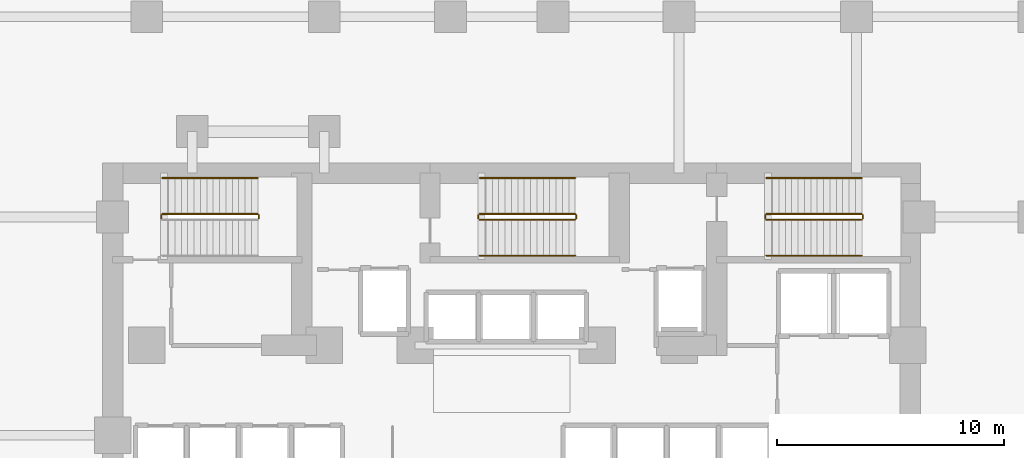
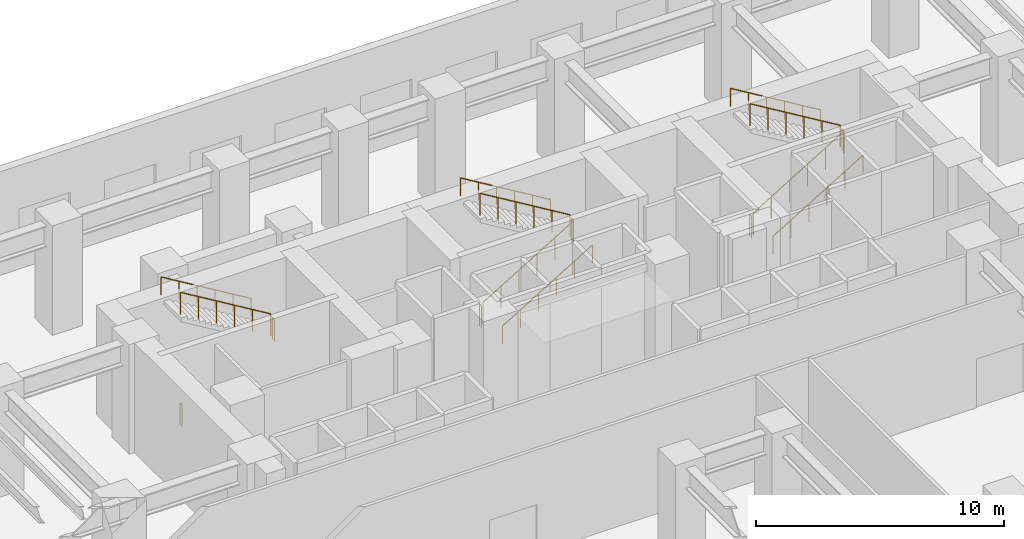
# One storey, part 20 of 21: 16 railings.
"""IFC4 building model written with IfcOpenShell, lengths in metres."""

from ifc_helpers import new_model, si_unit, direction, frame, origin, origin_2d, place, context, subcontext, project, spatial, circle, extrude, material, type_object, element, save


model = new_model("IFC4")

# Units and contexts
model_context = context("Model", 3, precision=1e-05, world=origin(), true_north=direction((0.0, 1.0)))
body_context = subcontext(model_context, "Body", "Model", "MODEL_VIEW")
ifc_project = project(units=[si_unit("LENGTHUNIT", "METRE"), si_unit("AREAUNIT", "SQUARE_METRE"), si_unit("VOLUMEUNIT", "CUBIC_METRE"), si_unit("PLANEANGLEUNIT", "RADIAN"), si_unit("MASSUNIT", "GRAM", prefix="KILO")], contexts=[model_context])

# Site, building, storey
site_placement = place(None, origin())
site = spatial("IfcSite", under=ifc_project, at=site_placement, CompositionType="ELEMENT")
building_placement = place(site_placement, origin())
building = spatial("IfcBuilding", under=site, at=building_placement, Name="Kestravale Grand Hotel", CompositionType="ELEMENT")
storey_placement = place(building_placement, frame((0.0, 0.0, 10.39990234375)))
storey = spatial("IfcBuildingStorey", under=building, at=storey_placement, Name="L02", CompositionType="ELEMENT", Elevation=10.39990234375)

# Railings
ifc_material_1 = material(Name="Painted tubular steel stair well guard", Category="steel")
railing_type_1 = type_object("IfcRailingType", Name="RL-ST-GRD1100", PredefinedType="GUARDRAIL", material=ifc_material_1)
railing_1_placement = place(storey_placement, frame((28.330078125, 38.330078125, 2.7001953125)))
element("IfcRailing", 1, at=railing_1_placement, inside=storey, type_object=railing_type_1, Name="L02 ST-1 stair guard 2", PredefinedType="GUARDRAIL", context=body_context, shape_type="SweptSolid", body=[
    extrude(circle(Radius=0.02392578125, at=origin_2d()), frame((0.0, 0.0, 1.076171875), z_axis=(0.0, 1.0, 0.0), x_axis=(-1.0, 0.0, 0.0)), (0.0, 0.0, 1.0), 0.14990234375),
    extrude(circle(Radius=0.02099609375, at=origin_2d()), origin(), (0.0, 0.0, 1.0), 1.052001953125),
    extrude(circle(Radius=0.02099609375, at=origin_2d()), frame((0.0, 0.14990234375, 0.0)), (0.0, 0.0, 1.0), 1.052001953125),
])
railing_2_placement = place(storey_placement, frame((28.280029296875, 38.530029296875, 2.868896484375)))
element("IfcRailing", 2, at=railing_2_placement, inside=storey, type_object=railing_type_1, Name="L02 ST-1 stair guard 3", PredefinedType="GUARDRAIL", context=body_context, shape_type="SweptSolid", body=[
    extrude(circle(Radius=0.02392578125, at=origin_2d()), frame((0.0, 0.0, 1.076171875), z_axis=(-0.856476492594, 0.0, 0.516186030065), x_axis=(0.0, -1.0, 0.0)), (0.0, 0.0, 1.0), 4.90380859375),
    extrude(circle(Radius=0.02099609375, at=origin_2d()), origin(), (0.0, 0.0, 1.0), 1.052001953125),
    extrude(circle(Radius=0.02099609375, at=origin_2d()), frame((-0.840087890625, 0.0, 0.50634765625)), (0.0, 0.0, 1.0), 1.052001953125),
    extrude(circle(Radius=0.02099609375, at=origin_2d()), frame((-1.679931640625, 0.0, 1.012451171875)), (0.0, 0.0, 1.0), 1.052001953125),
    extrude(circle(Radius=0.02099609375, at=origin_2d()), frame((-2.52001953125, 0.0, 1.518798828125)), (0.0, 0.0, 1.0), 1.052001953125),
    extrude(circle(Radius=0.02099609375, at=origin_2d()), frame((-3.35986328125, 0.0, 2.02490234375)), (0.0, 0.0, 1.0), 1.052001953125),
    extrude(circle(Radius=0.02099609375, at=origin_2d()), frame((-4.199951171875, 0.0, 2.53125)), (0.0, 0.0, 1.0), 1.052001953125),
])
railing_3_placement = place(storey_placement, frame((24.030029296875, 38.330078125, 0.0)))
element("IfcRailing", 3, at=railing_3_placement, inside=storey, type_object=railing_type_1, Name="L02 ST-1 stair guard 4", PredefinedType="GUARDRAIL", context=body_context, shape_type="SweptSolid", body=[
    extrude(circle(Radius=0.02392578125, at=origin_2d()), frame((0.0, 0.0, 1.076171875), z_axis=(0.0, 1.0, 0.0), x_axis=(-1.0, 0.0, 0.0)), (0.0, 0.0, 1.0), 0.14990234375),
    extrude(circle(Radius=0.02099609375, at=origin_2d()), origin(), (0.0, 0.0, 1.0), 1.052001953125),
    extrude(circle(Radius=0.02099609375, at=origin_2d()), frame((0.0, 0.14990234375, 0.0)), (0.0, 0.0, 1.0), 1.052001953125),
])
railing_4_placement = place(storey_placement, frame((38.030029296875, 38.280029296875, 0.1689453125)))
element("IfcRailing", 4, at=railing_4_placement, inside=storey, type_object=railing_type_1, Name="L02 ST-2 stair guard 1", PredefinedType="GUARDRAIL", context=body_context, shape_type="SweptSolid", body=[
    extrude(circle(Radius=0.02392578125, at=origin_2d()), frame((0.0, 0.0, 1.076171875), z_axis=(0.856476492594, 0.0, 0.516186030065), x_axis=(0.0, 1.0, 0.0)), (0.0, 0.0, 1.0), 4.90380859375),
    extrude(circle(Radius=0.02099609375, at=origin_2d()), origin(), (0.0, 0.0, 1.0), 1.052001953125),
    extrude(circle(Radius=0.02099609375, at=origin_2d()), frame((0.840087890625, 0.0, 0.50634765625)), (0.0, 0.0, 1.0), 1.052001953125),
    extrude(circle(Radius=0.02099609375, at=origin_2d()), frame((1.679931640625, 0.0, 1.012451171875)), (0.0, 0.0, 1.0), 1.052001953125),
    extrude(circle(Radius=0.02099609375, at=origin_2d()), frame((2.52001953125, 0.0, 1.518798828125)), (0.0, 0.0, 1.0), 1.052001953125),
    extrude(circle(Radius=0.02099609375, at=origin_2d()), frame((3.35986328125, 0.0, 2.02490234375)), (0.0, 0.0, 1.0), 1.052001953125),
    extrude(circle(Radius=0.02099609375, at=origin_2d()), frame((4.199951171875, 0.0, 2.53125)), (0.0, 0.0, 1.0), 1.052001953125),
])
railing_5_placement = place(storey_placement, frame((42.280029296875, 38.330078125, 2.7001953125)))
element("IfcRailing", 5, at=railing_5_placement, inside=storey, type_object=railing_type_1, Name="L02 ST-2 stair guard 2", PredefinedType="GUARDRAIL", context=body_context, shape_type="SweptSolid", body=[
    extrude(circle(Radius=0.02392578125, at=origin_2d()), frame((0.0, 0.0, 1.076171875), z_axis=(0.0, 1.0, 0.0), x_axis=(-1.0, 0.0, 0.0)), (0.0, 0.0, 1.0), 0.14990234375),
    extrude(circle(Radius=0.02099609375, at=origin_2d()), origin(), (0.0, 0.0, 1.0), 1.052001953125),
    extrude(circle(Radius=0.02099609375, at=origin_2d()), frame((0.0, 0.14990234375, 0.0)), (0.0, 0.0, 1.0), 1.052001953125),
])
railing_6_placement = place(storey_placement, frame((42.22998046875, 38.530029296875, 2.868896484375)))
element("IfcRailing", 6, at=railing_6_placement, inside=storey, type_object=railing_type_1, Name="L02 ST-2 stair guard 3", PredefinedType="GUARDRAIL", context=body_context, shape_type="SweptSolid", body=[
    extrude(circle(Radius=0.02392578125, at=origin_2d()), frame((0.0, 0.0, 1.076171875), z_axis=(-0.856476492594, 0.0, 0.516186030065), x_axis=(0.0, -1.0, 0.0)), (0.0, 0.0, 1.0), 4.90380859375),
    extrude(circle(Radius=0.02099609375, at=origin_2d()), origin(), (0.0, 0.0, 1.0), 1.052001953125),
    extrude(circle(Radius=0.02099609375, at=origin_2d()), frame((-0.840087890625, 0.0, 0.50634765625)), (0.0, 0.0, 1.0), 1.052001953125),
    extrude(circle(Radius=0.02099609375, at=origin_2d()), frame((-1.679931640625, 0.0, 1.012451171875)), (0.0, 0.0, 1.0), 1.052001953125),
    extrude(circle(Radius=0.02099609375, at=origin_2d()), frame((-2.52001953125, 0.0, 1.518798828125)), (0.0, 0.0, 1.0), 1.052001953125),
    extrude(circle(Radius=0.02099609375, at=origin_2d()), frame((-3.35986328125, 0.0, 2.02490234375)), (0.0, 0.0, 1.0), 1.052001953125),
    extrude(circle(Radius=0.02099609375, at=origin_2d()), frame((-4.199951171875, 0.0, 2.53125)), (0.0, 0.0, 1.0), 1.052001953125),
])
railing_7_placement = place(storey_placement, frame((37.97998046875, 38.330078125, 0.0)))
element("IfcRailing", 7, at=railing_7_placement, inside=storey, type_object=railing_type_1, Name="L02 ST-2 stair guard 4", PredefinedType="GUARDRAIL", context=body_context, shape_type="SweptSolid", body=[
    extrude(circle(Radius=0.02392578125, at=origin_2d()), frame((0.0, 0.0, 1.076171875), z_axis=(0.0, 1.0, 0.0), x_axis=(-1.0, 0.0, 0.0)), (0.0, 0.0, 1.0), 0.14990234375),
    extrude(circle(Radius=0.02099609375, at=origin_2d()), origin(), (0.0, 0.0, 1.0), 1.052001953125),
    extrude(circle(Radius=0.02099609375, at=origin_2d()), frame((0.0, 0.14990234375, 0.0)), (0.0, 0.0, 1.0), 1.052001953125),
])
railing_8_placement = place(storey_placement, frame((50.6298828125, 38.280029296875, 0.1689453125)))
element("IfcRailing", 8, at=railing_8_placement, inside=storey, type_object=railing_type_1, Name="L02 ST-3 stair guard 1", PredefinedType="GUARDRAIL", context=body_context, shape_type="SweptSolid", body=[
    extrude(circle(Radius=0.02392578125, at=origin_2d()), frame((0.0, 0.0, 1.076171875), z_axis=(0.856489757249, 0.0, 0.516164020179), x_axis=(0.0, 1.0, 0.0)), (0.0, 0.0, 1.0), 4.904052734375),
    extrude(circle(Radius=0.02099609375, at=origin_2d()), origin(), (0.0, 0.0, 1.0), 1.052001953125),
    extrude(circle(Radius=0.02099609375, at=origin_2d()), frame((0.840087890625, 0.0, 0.50634765625)), (0.0, 0.0, 1.0), 1.052001953125),
    extrude(circle(Radius=0.02099609375, at=origin_2d()), frame((1.68017578125, 0.0, 1.012451171875)), (0.0, 0.0, 1.0), 1.052001953125),
    extrude(circle(Radius=0.02099609375, at=origin_2d()), frame((2.52001953125, 0.0, 1.518798828125)), (0.0, 0.0, 1.0), 1.052001953125),
    extrude(circle(Radius=0.02099609375, at=origin_2d()), frame((3.360107421875, 0.0, 2.02490234375)), (0.0, 0.0, 1.0), 1.052001953125),
    extrude(circle(Radius=0.02099609375, at=origin_2d()), frame((4.2001953125, 0.0, 2.53125)), (0.0, 0.0, 1.0), 1.052001953125),
])
railing_9_placement = place(storey_placement, frame((54.8798828125, 38.330078125, 2.7001953125)))
element("IfcRailing", 9, at=railing_9_placement, inside=storey, type_object=railing_type_1, Name="L02 ST-3 stair guard 2", PredefinedType="GUARDRAIL", context=body_context, shape_type="SweptSolid", body=[
    extrude(circle(Radius=0.02392578125, at=origin_2d()), frame((0.0, 0.0, 1.076171875), z_axis=(0.0, 1.0, 0.0), x_axis=(-1.0, 0.0, 0.0)), (0.0, 0.0, 1.0), 0.14990234375),
    extrude(circle(Radius=0.02099609375, at=origin_2d()), origin(), (0.0, 0.0, 1.0), 1.052001953125),
    extrude(circle(Radius=0.02099609375, at=origin_2d()), frame((0.0, 0.14990234375, 0.0)), (0.0, 0.0, 1.0), 1.052001953125),
])
railing_10_placement = place(storey_placement, frame((54.830078125, 38.530029296875, 2.868896484375)))
element("IfcRailing", 10, at=railing_10_placement, inside=storey, type_object=railing_type_1, Name="L02 ST-3 stair guard 3", PredefinedType="GUARDRAIL", context=body_context, shape_type="SweptSolid", body=[
    extrude(circle(Radius=0.02392578125, at=origin_2d()), frame((0.0, 0.0, 1.076171875), z_axis=(-0.856489757249, 0.0, 0.516164020179), x_axis=(0.0, -1.0, 0.0)), (0.0, 0.0, 1.0), 4.904052734375),
    extrude(circle(Radius=0.02099609375, at=origin_2d()), origin(), (0.0, 0.0, 1.0), 1.052001953125),
    extrude(circle(Radius=0.02099609375, at=origin_2d()), frame((-0.840087890625, 0.0, 0.50634765625)), (0.0, 0.0, 1.0), 1.052001953125),
    extrude(circle(Radius=0.02099609375, at=origin_2d()), frame((-1.68017578125, 0.0, 1.012451171875)), (0.0, 0.0, 1.0), 1.052001953125),
    extrude(circle(Radius=0.02099609375, at=origin_2d()), frame((-2.52001953125, 0.0, 1.518798828125)), (0.0, 0.0, 1.0), 1.052001953125),
    extrude(circle(Radius=0.02099609375, at=origin_2d()), frame((-3.360107421875, 0.0, 2.02490234375)), (0.0, 0.0, 1.0), 1.052001953125),
    extrude(circle(Radius=0.02099609375, at=origin_2d()), frame((-4.2001953125, 0.0, 2.53125)), (0.0, 0.0, 1.0), 1.052001953125),
])
railing_11_placement = place(storey_placement, frame((50.580078125, 38.330078125, 0.0)))
element("IfcRailing", 11, at=railing_11_placement, inside=storey, type_object=railing_type_1, Name="L02 ST-3 stair guard 4", PredefinedType="GUARDRAIL", context=body_context, shape_type="SweptSolid", body=[
    extrude(circle(Radius=0.02392578125, at=origin_2d()), frame((0.0, 0.0, 1.076171875), z_axis=(0.0, 1.0, 0.0), x_axis=(-1.0, 0.0, 0.0)), (0.0, 0.0, 1.0), 0.14990234375),
    extrude(circle(Radius=0.02099609375, at=origin_2d()), origin(), (0.0, 0.0, 1.0), 1.052001953125),
    extrude(circle(Radius=0.02099609375, at=origin_2d()), frame((0.0, 0.14990234375, 0.0)), (0.0, 0.0, 1.0), 1.052001953125),
])
ifc_material_2 = material(Name="Brushed stainless steel wall handrail", Category="steel")
railing_type_2 = type_object("IfcRailingType", Name="RL-ST-HND900", PredefinedType="HANDRAIL", material=ifc_material_2)
railing_12_placement = place(storey_placement, frame((28.280029296875, 40.110107421875, 2.868896484375)))
element("IfcRailing", 12, at=railing_12_placement, inside=storey, type_object=railing_type_2, Name="L02 ST-1 stair handrail 2", PredefinedType="HANDRAIL", context=body_context, shape_type="SweptSolid", body=[
    extrude(circle(Radius=0.02392578125, at=origin_2d()), frame((0.0, 0.0, 0.8759765625), z_axis=(-0.856476492594, 0.0, 0.516186030065), x_axis=(0.0, -1.0, 0.0)), (0.0, 0.0, 1.0), 4.90380859375),
    extrude(circle(Radius=0.02099609375, at=origin_2d()), origin(), (0.0, 0.0, 1.0), 0.851806640625),
    extrude(circle(Radius=0.02099609375, at=origin_2d()), frame((-0.840087890625, 0.0, 0.50634765625)), (0.0, 0.0, 1.0), 0.851806640625),
    extrude(circle(Radius=0.02099609375, at=origin_2d()), frame((-1.679931640625, 0.0, 1.012451171875)), (0.0, 0.0, 1.0), 0.851806640625),
    extrude(circle(Radius=0.02099609375, at=origin_2d()), frame((-2.52001953125, 0.0, 1.518798828125)), (0.0, 0.0, 1.0), 0.851806640625),
    extrude(circle(Radius=0.02099609375, at=origin_2d()), frame((-3.35986328125, 0.0, 2.02490234375)), (0.0, 0.0, 1.0), 0.851806640625),
    extrude(circle(Radius=0.02099609375, at=origin_2d()), frame((-4.199951171875, 0.0, 2.53125)), (0.0, 0.0, 1.0), 0.851806640625),
])
railing_13_placement = place(storey_placement, frame((38.030029296875, 36.699951171875, 0.1689453125)))
element("IfcRailing", 13, at=railing_13_placement, inside=storey, type_object=railing_type_2, Name="L02 ST-2 stair handrail 1", PredefinedType="HANDRAIL", context=body_context, shape_type="SweptSolid", body=[
    extrude(circle(Radius=0.02392578125, at=origin_2d()), frame((0.0, 0.0, 0.8759765625), z_axis=(0.856476492594, 0.0, 0.516186030065), x_axis=(0.0, 1.0, 0.0)), (0.0, 0.0, 1.0), 4.90380859375),
    extrude(circle(Radius=0.02099609375, at=origin_2d()), origin(), (0.0, 0.0, 1.0), 0.851806640625),
    extrude(circle(Radius=0.02099609375, at=origin_2d()), frame((0.840087890625, 0.0, 0.50634765625)), (0.0, 0.0, 1.0), 0.851806640625),
    extrude(circle(Radius=0.02099609375, at=origin_2d()), frame((1.679931640625, 0.0, 1.012451171875)), (0.0, 0.0, 1.0), 0.851806640625),
    extrude(circle(Radius=0.02099609375, at=origin_2d()), frame((2.52001953125, 0.0, 1.518798828125)), (0.0, 0.0, 1.0), 0.851806640625),
    extrude(circle(Radius=0.02099609375, at=origin_2d()), frame((3.35986328125, 0.0, 2.02490234375)), (0.0, 0.0, 1.0), 0.851806640625),
    extrude(circle(Radius=0.02099609375, at=origin_2d()), frame((4.199951171875, 0.0, 2.53125)), (0.0, 0.0, 1.0), 0.851806640625),
])
railing_14_placement = place(storey_placement, frame((42.22998046875, 40.110107421875, 2.868896484375)))
element("IfcRailing", 14, at=railing_14_placement, inside=storey, type_object=railing_type_2, Name="L02 ST-2 stair handrail 2", PredefinedType="HANDRAIL", context=body_context, shape_type="SweptSolid", body=[
    extrude(circle(Radius=0.02392578125, at=origin_2d()), frame((0.0, 0.0, 0.8759765625), z_axis=(-0.856476492594, 0.0, 0.516186030065), x_axis=(0.0, -1.0, 0.0)), (0.0, 0.0, 1.0), 4.90380859375),
    extrude(circle(Radius=0.02099609375, at=origin_2d()), origin(), (0.0, 0.0, 1.0), 0.851806640625),
    extrude(circle(Radius=0.02099609375, at=origin_2d()), frame((-0.840087890625, 0.0, 0.50634765625)), (0.0, 0.0, 1.0), 0.851806640625),
    extrude(circle(Radius=0.02099609375, at=origin_2d()), frame((-1.679931640625, 0.0, 1.012451171875)), (0.0, 0.0, 1.0), 0.851806640625),
    extrude(circle(Radius=0.02099609375, at=origin_2d()), frame((-2.52001953125, 0.0, 1.518798828125)), (0.0, 0.0, 1.0), 0.851806640625),
    extrude(circle(Radius=0.02099609375, at=origin_2d()), frame((-3.35986328125, 0.0, 2.02490234375)), (0.0, 0.0, 1.0), 0.851806640625),
    extrude(circle(Radius=0.02099609375, at=origin_2d()), frame((-4.199951171875, 0.0, 2.53125)), (0.0, 0.0, 1.0), 0.851806640625),
])
railing_15_placement = place(storey_placement, frame((50.6298828125, 36.699951171875, 0.1689453125)))
element("IfcRailing", 15, at=railing_15_placement, inside=storey, type_object=railing_type_2, Name="L02 ST-3 stair handrail 1", PredefinedType="HANDRAIL", context=body_context, shape_type="SweptSolid", body=[
    extrude(circle(Radius=0.02392578125, at=origin_2d()), frame((0.0, 0.0, 0.8759765625), z_axis=(0.856489757249, 0.0, 0.516164020179), x_axis=(0.0, 1.0, 0.0)), (0.0, 0.0, 1.0), 4.904052734375),
    extrude(circle(Radius=0.02099609375, at=origin_2d()), origin(), (0.0, 0.0, 1.0), 0.851806640625),
    extrude(circle(Radius=0.02099609375, at=origin_2d()), frame((0.840087890625, 0.0, 0.50634765625)), (0.0, 0.0, 1.0), 0.851806640625),
    extrude(circle(Radius=0.02099609375, at=origin_2d()), frame((1.68017578125, 0.0, 1.012451171875)), (0.0, 0.0, 1.0), 0.851806640625),
    extrude(circle(Radius=0.02099609375, at=origin_2d()), frame((2.52001953125, 0.0, 1.518798828125)), (0.0, 0.0, 1.0), 0.851806640625),
    extrude(circle(Radius=0.02099609375, at=origin_2d()), frame((3.360107421875, 0.0, 2.02490234375)), (0.0, 0.0, 1.0), 0.851806640625),
    extrude(circle(Radius=0.02099609375, at=origin_2d()), frame((4.2001953125, 0.0, 2.53125)), (0.0, 0.0, 1.0), 0.851806640625),
])
railing_16_placement = place(storey_placement, frame((54.830078125, 40.110107421875, 2.868896484375)))
element("IfcRailing", 16, at=railing_16_placement, inside=storey, type_object=railing_type_2, Name="L02 ST-3 stair handrail 2", PredefinedType="HANDRAIL", context=body_context, shape_type="SweptSolid", body=[
    extrude(circle(Radius=0.02392578125, at=origin_2d()), frame((0.0, 0.0, 0.8759765625), z_axis=(-0.856489757249, 0.0, 0.516164020179), x_axis=(0.0, -1.0, 0.0)), (0.0, 0.0, 1.0), 4.904052734375),
    extrude(circle(Radius=0.02099609375, at=origin_2d()), origin(), (0.0, 0.0, 1.0), 0.851806640625),
    extrude(circle(Radius=0.02099609375, at=origin_2d()), frame((-0.840087890625, 0.0, 0.50634765625)), (0.0, 0.0, 1.0), 0.851806640625),
    extrude(circle(Radius=0.02099609375, at=origin_2d()), frame((-1.68017578125, 0.0, 1.012451171875)), (0.0, 0.0, 1.0), 0.851806640625),
    extrude(circle(Radius=0.02099609375, at=origin_2d()), frame((-2.52001953125, 0.0, 1.518798828125)), (0.0, 0.0, 1.0), 0.851806640625),
    extrude(circle(Radius=0.02099609375, at=origin_2d()), frame((-3.360107421875, 0.0, 2.02490234375)), (0.0, 0.0, 1.0), 0.851806640625),
    extrude(circle(Radius=0.02099609375, at=origin_2d()), frame((-4.2001953125, 0.0, 2.53125)), (0.0, 0.0, 1.0), 0.851806640625),
])

save(model, "model.ifc")
